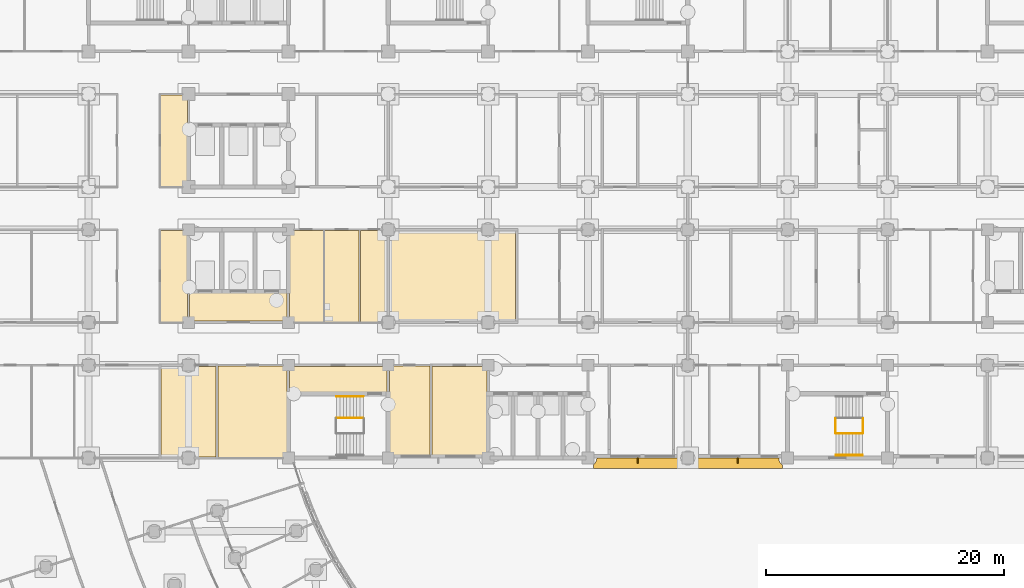
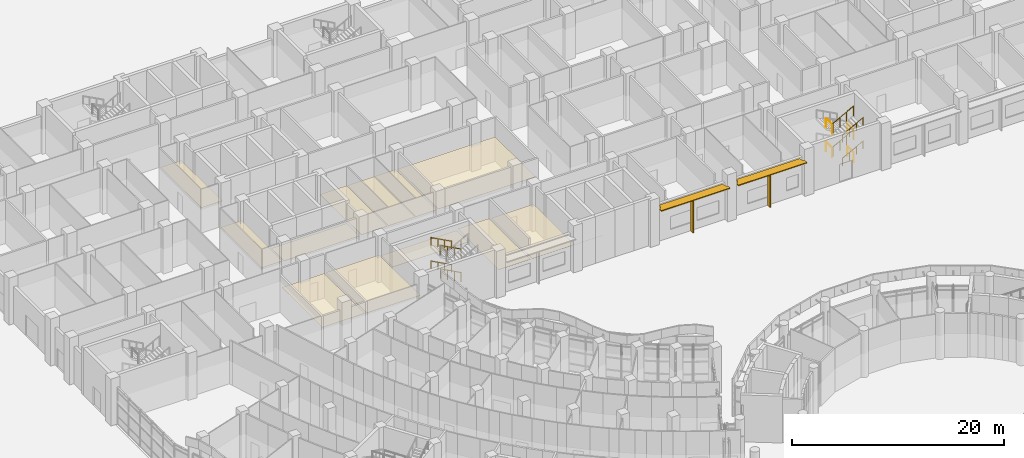
# One storey, part 130 of 146: 12 coverings, 12 railings, 4 shading devices.
"""IFC4 building model written with IfcOpenShell, lengths in metres."""

from ifc_helpers import new_model, si_unit, direction, frame, origin, origin_2d, place, context, subcontext, project, spatial, polyline, rectangle, circle, outline, extrude, material, layer, layer_set, material_profile, profile_set, type_object, element, save


model = new_model("IFC4")

# Units and contexts
model_context = context("Model", 3, precision=1e-05, world=origin(), true_north=direction((0.0, 1.0)))
body_context = subcontext(model_context, "Body", "Model", "MODEL_VIEW")
ifc_project = project(units=[si_unit("LENGTHUNIT", "METRE"), si_unit("AREAUNIT", "SQUARE_METRE"), si_unit("VOLUMEUNIT", "CUBIC_METRE"), si_unit("PLANEANGLEUNIT", "RADIAN"), si_unit("MASSUNIT", "GRAM", prefix="KILO")], contexts=[model_context])

# Site, building, storey
site_placement = place(None, origin())
site = spatial("IfcSite", under=ifc_project, at=site_placement, CompositionType="ELEMENT")
building_placement = place(site_placement, origin())
building = spatial("IfcBuilding", under=site, at=building_placement, Name="Bougainvillea Quay General Hospital", CompositionType="ELEMENT")
storey_placement = place(building_placement, origin())
storey = spatial("IfcBuildingStorey", under=building, at=storey_placement, Name="L00", CompositionType="ELEMENT", Elevation=0.0)

# Railings
ifc_material_1 = material(Name="Stainless steel 304 balustrade", Category="steel")
railing_type_1 = type_object("IfcRailingType", Name="Stair guard 1100", PredefinedType="GUARDRAIL", material=ifc_material_1)
railing_1_placement = place(storey_placement, frame((81.89990234375, 120.949951171875, 0.14990234375)))
element("IfcRailing", 1, at=railing_1_placement, inside=storey, type_object=railing_type_1, Name="L00 ST-B2 stair guard 1", PredefinedType="GUARDRAIL", context=body_context, shape_type="SweptSolid", body=[
    extrude(circle(Radius=0.02392578125, at=origin_2d()), frame((0.0, 0.0, 1.076171875), z_axis=(-0.881447119201, 0.0, 0.472282728937), x_axis=(0.0, -1.0, 0.0)), (0.0, 0.0, 1.0), 2.541259765625),
    extrude(circle(Radius=0.02099609375, at=origin_2d()), origin(), (0.0, 0.0, 1.0), 1.052001953125),
    extrude(circle(Radius=0.02099609375, at=origin_2d()), frame((-0.74658203125, 0.0, 0.400146484375)), (0.0, 0.0, 1.0), 1.052001953125),
    extrude(circle(Radius=0.02099609375, at=origin_2d()), frame((-1.493408203125, 0.0, 0.800048828125)), (0.0, 0.0, 1.0), 1.052001953125),
    extrude(circle(Radius=0.02099609375, at=origin_2d()), frame((-2.239990234375, 0.0, 1.2001953125)), (0.0, 0.0, 1.0), 1.052001953125),
])
railing_2_placement = place(storey_placement, frame((81.89990234375, 120.949951171875, 2.85009765625)))
element("IfcRailing", 2, at=railing_2_placement, inside=storey, type_object=railing_type_1, Name="L00 ST-B2 stair guard 5", PredefinedType="GUARDRAIL", context=body_context, shape_type="SweptSolid", body=[
    extrude(circle(Radius=0.02392578125, at=origin_2d()), frame((0.0, 0.0, 1.076171875), z_axis=(-0.881487111273, 0.0, 0.472208081951), x_axis=(0.0, -1.0, 0.0)), (0.0, 0.0, 1.0), 2.541259765625),
    extrude(circle(Radius=0.02099609375, at=origin_2d()), origin(), (0.0, 0.0, 1.0), 1.052001953125),
    extrude(circle(Radius=0.02099609375, at=origin_2d()), frame((-0.74658203125, 0.0, 0.39990234375)), (0.0, 0.0, 1.0), 1.052001953125),
    extrude(circle(Radius=0.02099609375, at=origin_2d()), frame((-1.493408203125, 0.0, 0.800048828125)), (0.0, 0.0, 1.0), 1.052001953125),
    extrude(circle(Radius=0.02099609375, at=origin_2d()), frame((-2.239990234375, 0.0, 1.199951171875)), (0.0, 0.0, 1.0), 1.052001953125),
])
railing_3_placement = place(storey_placement, frame((121.610107421875, 120.89990234375, 1.35009765625)))
element("IfcRailing", 3, at=railing_3_placement, inside=storey, type_object=railing_type_1, Name="L00 ST-B3 stair guard 2", PredefinedType="GUARDRAIL", context=body_context, shape_type="SweptSolid", body=[
    extrude(circle(Radius=0.02392578125, at=origin_2d()), frame((0.0, 0.0, 1.076171875), z_axis=(0.0, -1.0, 0.0), x_axis=(1.0, 0.0, 0.0)), (0.0, 0.0, 1.0), 1.199951171875),
    extrude(circle(Radius=0.02099609375, at=origin_2d()), origin(), (0.0, 0.0, 1.0), 1.052001953125),
    extrude(circle(Radius=0.02099609375, at=origin_2d()), frame((0.0, -1.199951171875, 0.0)), (0.0, 0.0, 1.0), 1.052001953125),
])
railing_4_placement = place(storey_placement, frame((121.659912109375, 119.64990234375, 1.5)))
element("IfcRailing", 4, at=railing_4_placement, inside=storey, type_object=railing_type_1, Name="L00 ST-B3 stair guard 3", PredefinedType="GUARDRAIL", context=body_context, shape_type="SweptSolid", body=[
    extrude(circle(Radius=0.02392578125, at=origin_2d()), frame((0.0, 0.0, 1.076171875), z_axis=(0.881487111273, 0.0, 0.472208081951), x_axis=(0.0, 1.0, 0.0)), (0.0, 0.0, 1.0), 2.541259765625),
    extrude(circle(Radius=0.02099609375, at=origin_2d()), origin(), (0.0, 0.0, 1.0), 1.052001953125),
    extrude(circle(Radius=0.02099609375, at=origin_2d()), frame((0.74658203125, 0.0, 0.39990234375)), (0.0, 0.0, 1.0), 1.052001953125),
    extrude(circle(Radius=0.02099609375, at=origin_2d()), frame((1.493408203125, 0.0, 0.800048828125)), (0.0, 0.0, 1.0), 1.052001953125),
    extrude(circle(Radius=0.02099609375, at=origin_2d()), frame((2.239990234375, 0.0, 1.199951171875)), (0.0, 0.0, 1.0), 1.052001953125),
])
for number, where, name in (
    (5, (123.949951171875, 120.89990234375, 2.699951171875), "L00 ST-B3 stair guard 4"),
    (6, (121.610107421875, 120.89990234375, 4.050048828125), "L00 ST-B3 stair guard 6"),
):
    element("IfcRailing", number, at=place(storey_placement, frame(where)), inside=storey, type_object=railing_type_1, Name=name, PredefinedType="GUARDRAIL", context=body_context, shape_type="SweptSolid", body=[
        extrude(circle(Radius=0.02392578125, at=origin_2d()), frame((0.0, 0.0, 1.076171875), z_axis=(0.0, -1.0, 0.0), x_axis=(1.0, 0.0, 0.0)), (0.0, 0.0, 1.0), 1.199951171875),
        extrude(circle(Radius=0.02099609375, at=origin_2d()), origin(), (0.0, 0.0, 1.0), 1.052001953125),
        extrude(circle(Radius=0.02099609375, at=origin_2d()), frame((0.0, -1.199951171875, 0.0)), (0.0, 0.0, 1.0), 1.052001953125),
    ])
railing_5_placement = place(storey_placement, frame((121.659912109375, 119.64990234375, 4.199951171875)))
element("IfcRailing", 7, at=railing_5_placement, inside=storey, type_object=railing_type_1, Name="L00 ST-B3 stair guard 7", PredefinedType="GUARDRAIL", context=body_context, shape_type="SweptSolid", body=[
    extrude(circle(Radius=0.02392578125, at=origin_2d()), frame((0.0, 0.0, 1.076171875), z_axis=(0.881487111273, 0.0, 0.472208081951), x_axis=(0.0, 1.0, 0.0)), (0.0, 0.0, 1.0), 2.541259765625),
    extrude(circle(Radius=0.02099609375, at=origin_2d()), origin(), (0.0, 0.0, 1.0), 1.052001953125),
    extrude(circle(Radius=0.02099609375, at=origin_2d()), frame((0.74658203125, 0.0, 0.39990234375)), (0.0, 0.0, 1.0), 1.052001953125),
    extrude(circle(Radius=0.02099609375, at=origin_2d()), frame((1.493408203125, 0.0, 0.800048828125)), (0.0, 0.0, 1.0), 1.052001953125),
    extrude(circle(Radius=0.02099609375, at=origin_2d()), frame((2.239990234375, 0.0, 1.199951171875)), (0.0, 0.0, 1.0), 1.052001953125),
])
railing_6_placement = place(storey_placement, frame((123.949951171875, 120.89990234375, 0.0)))
element("IfcRailing", 8, at=railing_6_placement, inside=storey, type_object=railing_type_1, Name="L00 ST-B3 stair guard 8", PredefinedType="GUARDRAIL", context=body_context, shape_type="SweptSolid", body=[
    extrude(circle(Radius=0.02392578125, at=origin_2d()), frame((0.0, 0.0, 1.076171875), z_axis=(0.0, -1.0, 0.0), x_axis=(1.0, 0.0, 0.0)), (0.0, 0.0, 1.0), 1.199951171875),
    extrude(circle(Radius=0.02099609375, at=origin_2d()), origin(), (0.0, 0.0, 1.0), 1.052001953125),
    extrude(circle(Radius=0.02099609375, at=origin_2d()), frame((0.0, -1.199951171875, 0.0)), (0.0, 0.0, 1.0), 1.052001953125),
])
ifc_material_2 = material(Name="Stainless steel 304 handrail", Category="steel")
railing_type_2 = type_object("IfcRailingType", Name="Stair handrail 900", PredefinedType="HANDRAIL", material=ifc_material_2)
railing_7_placement = place(storey_placement, frame((81.89990234375, 122.77490234375, 0.14990234375)))
element("IfcRailing", 9, at=railing_7_placement, inside=storey, type_object=railing_type_2, Name="L00 ST-B2 stair handrail 1", PredefinedType="HANDRAIL", context=body_context, shape_type="SweptSolid", body=[
    extrude(circle(Radius=0.02392578125, at=origin_2d()), frame((0.0, 0.0, 0.8759765625), z_axis=(-0.881447119201, 0.0, 0.472282728937), x_axis=(0.0, -1.0, 0.0)), (0.0, 0.0, 1.0), 2.541259765625),
    extrude(circle(Radius=0.02099609375, at=origin_2d()), origin(), (0.0, 0.0, 1.0), 0.851806640625),
    extrude(circle(Radius=0.02099609375, at=origin_2d()), frame((-0.74658203125, 0.0, 0.400146484375)), (0.0, 0.0, 1.0), 0.851806640625),
    extrude(circle(Radius=0.02099609375, at=origin_2d()), frame((-1.493408203125, 0.0, 0.800048828125)), (0.0, 0.0, 1.0), 0.851806640625),
    extrude(circle(Radius=0.02099609375, at=origin_2d()), frame((-2.239990234375, 0.0, 1.2001953125)), (0.0, 0.0, 1.0), 0.851806640625),
])
railing_8_placement = place(storey_placement, frame((81.89990234375, 122.77490234375, 2.85009765625)))
element("IfcRailing", 10, at=railing_8_placement, inside=storey, type_object=railing_type_2, Name="L00 ST-B2 stair handrail 3", PredefinedType="HANDRAIL", context=body_context, shape_type="SweptSolid", body=[
    extrude(circle(Radius=0.02392578125, at=origin_2d()), frame((0.0, 0.0, 0.8759765625), z_axis=(-0.881487111273, 0.0, 0.472208081951), x_axis=(0.0, -1.0, 0.0)), (0.0, 0.0, 1.0), 2.541259765625),
    extrude(circle(Radius=0.02099609375, at=origin_2d()), origin(), (0.0, 0.0, 1.0), 0.851806640625),
    extrude(circle(Radius=0.02099609375, at=origin_2d()), frame((-0.74658203125, 0.0, 0.39990234375)), (0.0, 0.0, 1.0), 0.851806640625),
    extrude(circle(Radius=0.02099609375, at=origin_2d()), frame((-1.493408203125, 0.0, 0.800048828125)), (0.0, 0.0, 1.0), 0.851806640625),
    extrude(circle(Radius=0.02099609375, at=origin_2d()), frame((-2.239990234375, 0.0, 1.199951171875)), (0.0, 0.0, 1.0), 0.851806640625),
])
for number, where, name in (
    (11, (121.659912109375, 117.824951171875, 1.5), "L00 ST-B3 stair handrail 2"),
    (12, (121.659912109375, 117.824951171875, 4.199951171875), "L00 ST-B3 stair handrail 4"),
):
    element("IfcRailing", number, at=place(storey_placement, frame(where)), inside=storey, type_object=railing_type_2, Name=name, PredefinedType="HANDRAIL", context=body_context, shape_type="SweptSolid", body=[
        extrude(circle(Radius=0.02392578125, at=origin_2d()), frame((0.0, 0.0, 0.8759765625), z_axis=(0.881487111273, 0.0, 0.472208081951), x_axis=(0.0, 1.0, 0.0)), (0.0, 0.0, 1.0), 2.541259765625),
        extrude(circle(Radius=0.02099609375, at=origin_2d()), origin(), (0.0, 0.0, 1.0), 0.851806640625),
        extrude(circle(Radius=0.02099609375, at=origin_2d()), frame((0.74658203125, 0.0, 0.39990234375)), (0.0, 0.0, 1.0), 0.851806640625),
        extrude(circle(Radius=0.02099609375, at=origin_2d()), frame((1.493408203125, 0.0, 0.800048828125)), (0.0, 0.0, 1.0), 0.851806640625),
        extrude(circle(Radius=0.02099609375, at=origin_2d()), frame((2.239990234375, 0.0, 1.199951171875)), (0.0, 0.0, 1.0), 0.851806640625),
    ])

# Shading devices
ifc_material_3 = material(Name="Powder-coated aluminium canopy soffit and fascia, white", Category="aluminium")
ifc_layer_1 = layer(ifc_material_3, 0.10009765625)
ifc_layer_set_1 = layer_set([ifc_layer_1], Name="Powder-coated aluminium canopy soffit and fascia, white")
shading_device_type_1 = type_object("IfcShadingDeviceType", Name="Sunshade 100", PredefinedType="USERDEFINED", material=ifc_layer_set_1)
shading_device_1_placement = place(storey_placement, frame((0.0, 0.0, 4.050048828125)))
element("IfcShadingDevice", 13, at=shading_device_1_placement, inside=storey, type_object=shading_device_type_1, Name="Sunshade 0", ObjectType="Sunshade", PredefinedType="USERDEFINED", context=body_context, shape_type="SweptSolid", body=[
    extrude(outline(polyline([(108.449951171875, 117.60009765625), (101.550048828125, 117.60009765625), (101.54638671875, 117.5263671875), (101.517822265625, 117.38232421875), (101.46142578125, 117.246337890625), (101.379638671875, 117.124267578125), (101.330322265625, 117.069580078125), (101.25, 117.001220703125), (101.25, 116.699951171875), (108.75, 116.699951171875), (108.75, 117.001220703125), (108.669677734375, 117.069580078125), (108.620361328125, 117.124267578125), (108.53857421875, 117.246337890625), (108.482177734375, 117.38232421875), (108.45361328125, 117.5263671875), (108.449951171875, 117.60009765625)])), origin(), (0.0, 0.0, 1.0), 0.099853515625),
])
shading_device_2_placement = place(storey_placement, frame((0.0, 0.0, 4.050048828125)))
element("IfcShadingDevice", 14, at=shading_device_2_placement, inside=storey, type_object=shading_device_type_1, Name="Sunshade 0", ObjectType="Sunshade", PredefinedType="USERDEFINED", context=body_context, shape_type="SweptSolid", body=[
    extrude(outline(polyline([(116.85009765625, 117.60009765625), (109.949951171875, 117.60009765625), (109.9462890625, 117.5263671875), (109.917724609375, 117.38232421875), (109.861328125, 117.246337890625), (109.77978515625, 117.124267578125), (109.730224609375, 117.069580078125), (109.64990234375, 117.001220703125), (109.64990234375, 116.699951171875), (117.14990234375, 116.699951171875), (117.14990234375, 117.001220703125), (117.069580078125, 117.069580078125), (117.020263671875, 117.124267578125), (116.9384765625, 117.246337890625), (116.88232421875, 117.38232421875), (116.853515625, 117.5263671875), (116.85009765625, 117.60009765625)])), origin(), (0.0, 0.0, 1.0), 0.099853515625),
])

# Coverings
ifc_material_4 = material(Name="Mineral fibre ceiling tile")
ifc_layer_2 = layer(ifc_material_4, 0.030029296875)
ifc_layer_set_2 = layer_set([ifc_layer_2], Name="Mineral fibre ceiling tile")
covering_type = type_object("IfcCoveringType", Name="Suspended ceiling mineral fibre tile", PredefinedType="CEILING", material=ifc_layer_set_2)
covering_1_placement = place(storey_placement, frame((0.0, 0.0, 2.699951171875)))
element("IfcCovering", 15, at=covering_1_placement, inside=storey, type_object=covering_type, Name="Ceiling Fire Lift Lobby LB-B1", PredefinedType="CEILING", context=body_context, shape_type="SweptSolid", body=[
    extrude(outline(polyline([(67.300048828125, 129.10009765625), (75.5, 129.10009765625), (75.5, 131.5), (67.300048828125, 131.5), (67.300048828125, 129.10009765625)])), origin(), (0.0, 0.0, 1.0), 0.030029296875),
])
covering_2_placement = place(storey_placement, frame((0.0, 0.0, 2.699951171875)))
element("IfcCovering", 16, at=covering_2_placement, inside=storey, type_object=covering_type, Name="Ceiling Smoke-proof Stair Vestibule ST-B2", PredefinedType="CEILING", context=body_context, shape_type="SweptSolid", body=[
    extrude(outline(polyline([(75.699951171875, 123.10009765625), (83.89990234375, 123.10009765625), (83.89990234375, 125.300048828125), (75.699951171875, 125.300048828125), (75.699951171875, 123.10009765625)])), origin(), (0.0, 0.0, 1.0), 0.030029296875),
])
covering_3_placement = place(storey_placement, frame((0.0, 0.0, 2.800048828125)))
element("IfcCovering", 17, at=covering_3_placement, inside=storey, type_object=covering_type, Name="Ceiling Dispensing Pharmacy Store", PredefinedType="CEILING", context=body_context, shape_type="SweptSolid", body=[
    extrude(outline(polyline([(64.89794921875, 125.300048828125), (64.89794921875, 117.697998046875), (69.498046875, 117.697998046875), (69.498046875, 125.300048828125), (64.89794921875, 125.300048828125)])), origin(), (0.0, 0.0, 1.0), 0.030029296875),
])
covering_4_placement = place(storey_placement, frame((0.0, 0.0, 2.800048828125)))
element("IfcCovering", 18, at=covering_4_placement, inside=storey, type_object=covering_type, Name="Ceiling Pharmacy Consultation Room", PredefinedType="CEILING", context=body_context, shape_type="SweptSolid", body=[
    extrude(outline(polyline([(75.550048828125, 117.64794921875), (75.550048828125, 122.89990234375), (75.5, 122.89990234375), (75.5, 125.35009765625), (69.697998046875, 125.35009765625), (69.697998046875, 117.64794921875), (75.550048828125, 117.64794921875)])), origin(), (0.0, 0.0, 1.0), 0.030029296875),
])
covering_5_placement = place(storey_placement, frame((0.0, 0.0, 2.800048828125)))
element("IfcCovering", 19, at=covering_5_placement, inside=storey, type_object=covering_type, Name="Ceiling Phlebotomy Room 04", PredefinedType="CEILING", context=body_context, shape_type="SweptSolid", body=[
    extrude(outline(polyline([(67.10009765625, 129.050048828125), (67.10009765625, 131.699951171875), (67.14990234375, 131.699951171875), (67.14990234375, 136.75), (64.85009765625, 136.75), (64.85009765625, 129.050048828125), (67.10009765625, 129.050048828125)])), origin(), (0.0, 0.0, 1.0), 0.030029296875),
])
covering_6_placement = place(storey_placement, frame((0.0, 0.0, 2.800048828125)))
element("IfcCovering", 20, at=covering_6_placement, inside=storey, type_object=covering_type, Name="Ceiling CT Control Room 01", PredefinedType="CEILING", context=body_context, shape_type="SweptSolid", body=[
    extrude(outline(polyline([(83.998046875, 117.597900390625), (87.498046875, 117.597900390625), (87.498046875, 125.35009765625), (84.10009765625, 125.35009765625), (84.10009765625, 122.89990234375), (84.050048828125, 122.89990234375), (84.050048828125, 117.60009765625), (83.998046875, 117.60009765625), (83.998046875, 117.597900390625)])), origin(), (0.0, 0.0, 1.0), 0.030029296875),
])
covering_7_placement = place(storey_placement, frame((0.0, 0.0, 2.800048828125)))
element("IfcCovering", 21, at=covering_7_placement, inside=storey, type_object=covering_type, Name="Ceiling MRI Scanner Room 01", PredefinedType="CEILING", context=body_context, shape_type="SweptSolid", body=[
    extrude(outline(polyline([(92.300048828125, 125.300048828125), (87.697998046875, 125.300048828125), (87.697998046875, 117.597900390625), (95.39794921875, 117.597900390625), (95.39794921875, 117.60009765625), (92.300048828125, 117.60009765625), (92.300048828125, 125.300048828125)])), origin(), (0.0, 0.0, 1.0), 0.030029296875),
])
covering_8_placement = place(storey_placement, frame((0.0, 0.0, 2.800048828125)))
element("IfcCovering", 22, at=covering_8_placement, inside=storey, type_object=covering_type, Name="Ceiling Imaging Changing Room 01", PredefinedType="CEILING", context=body_context, shape_type="SweptSolid", body=[
    extrude(outline(polyline([(75.699951171875, 129.050048828125), (78.550048828125, 129.050048828125), (78.550048828125, 136.75), (75.64990234375, 136.75), (75.64990234375, 131.699951171875), (75.699951171875, 131.699951171875), (75.699951171875, 129.050048828125)])), origin(), (0.0, 0.0, 1.0), 0.030029296875),
])
covering_9_placement = place(storey_placement, frame((0.0, 0.0, 2.800048828125)))
element("IfcCovering", 23, at=covering_9_placement, inside=storey, type_object=covering_type, Name="Ceiling Imaging Accessible WC", PredefinedType="CEILING", context=body_context, shape_type="SweptSolid", body=[
    extrude(outline(polyline([(81.550048828125, 129.050048828125), (81.550048828125, 136.75), (78.64990234375, 136.75), (78.64990234375, 129.050048828125), (81.550048828125, 129.050048828125)])), origin(), (0.0, 0.0, 1.0), 0.030029296875),
])
covering_10_placement = place(storey_placement, frame((0.0, 0.0, 2.800048828125)))
element("IfcCovering", 24, at=covering_10_placement, inside=storey, type_object=covering_type, Name="Ceiling Contrast Preparation Room", PredefinedType="CEILING", context=body_context, shape_type="SweptSolid", body=[
    extrude(outline(polyline([(81.64990234375, 136.75), (81.64990234375, 129.050048828125), (83.89990234375, 129.050048828125), (83.89990234375, 136.75), (81.64990234375, 136.75)])), origin(), (0.0, 0.0, 1.0), 0.030029296875),
])
covering_11_placement = place(storey_placement, frame((0.0, 0.0, 2.800048828125)))
element("IfcCovering", 25, at=covering_11_placement, inside=storey, type_object=covering_type, Name="Ceiling CT Scanner Room 02", PredefinedType="CEILING", context=body_context, shape_type="SweptSolid", body=[
    extrude(outline(polyline([(94.699951171875, 129.10009765625), (94.699951171875, 136.699951171875), (84.10009765625, 136.699951171875), (84.10009765625, 129.10009765625), (94.699951171875, 129.10009765625)])), origin(), (0.0, 0.0, 1.0), 0.030029296875),
])
covering_12_placement = place(storey_placement, frame((0.0, 0.0, 2.800048828125)))
element("IfcCovering", 26, at=covering_12_placement, inside=storey, type_object=covering_type, Name="Ceiling Goods Reception Office", PredefinedType="CEILING", context=body_context, shape_type="SweptSolid", body=[
    extrude(outline(polyline([(67.14990234375, 145.5), (67.10009765625, 145.5), (67.10009765625, 148.14990234375), (64.85009765625, 148.14990234375), (64.85009765625, 140.449951171875), (67.14990234375, 140.449951171875), (67.14990234375, 145.5)])), origin(), (0.0, 0.0, 1.0), 0.030029296875),
])

# Shading devices
ifc_material_5 = material(Name="Powder-coated aluminium fin, white", Category="aluminium")
ifc_material_profile = material_profile(ifc_material_5, rectangle(XDim=0.449951171875, YDim=0.10009765625, at=origin_2d()))
ifc_profile_set = profile_set([ifc_material_profile], Name="Powder-coated aluminium fin, white")
shading_device_type_2 = type_object("IfcShadingDeviceType", Name="Vertical fin 450x100", PredefinedType="USERDEFINED", material=ifc_profile_set)
for number, where, z_axis, x_axis, name in (
    (27, (105.0, 117.375, 0.0), (0.0, 0.0, 1.0), (0.0, -1.0, 0.0), "Vertical fin 00b 1"),
    (28, (113.39990234375, 117.375, 0.0), (0.0, 0.0, 1.0), (0.0, -1.0, 0.0), "Vertical fin 00c 1"),
):
    element("IfcShadingDevice", number, at=place(storey_placement, frame(where, z_axis=z_axis, x_axis=x_axis)), inside=storey, type_object=shading_device_type_2, Name=name, ObjectType="Vertical fin", PredefinedType="USERDEFINED", context=body_context, shape_type="SweptSolid", body=[
        extrude(rectangle(XDim=0.449951171875, YDim=0.10009765625, at=origin_2d()), origin(), (0.0, 0.0, 1.0), 4.050048828125),
    ])

save(model, "model.ifc")
